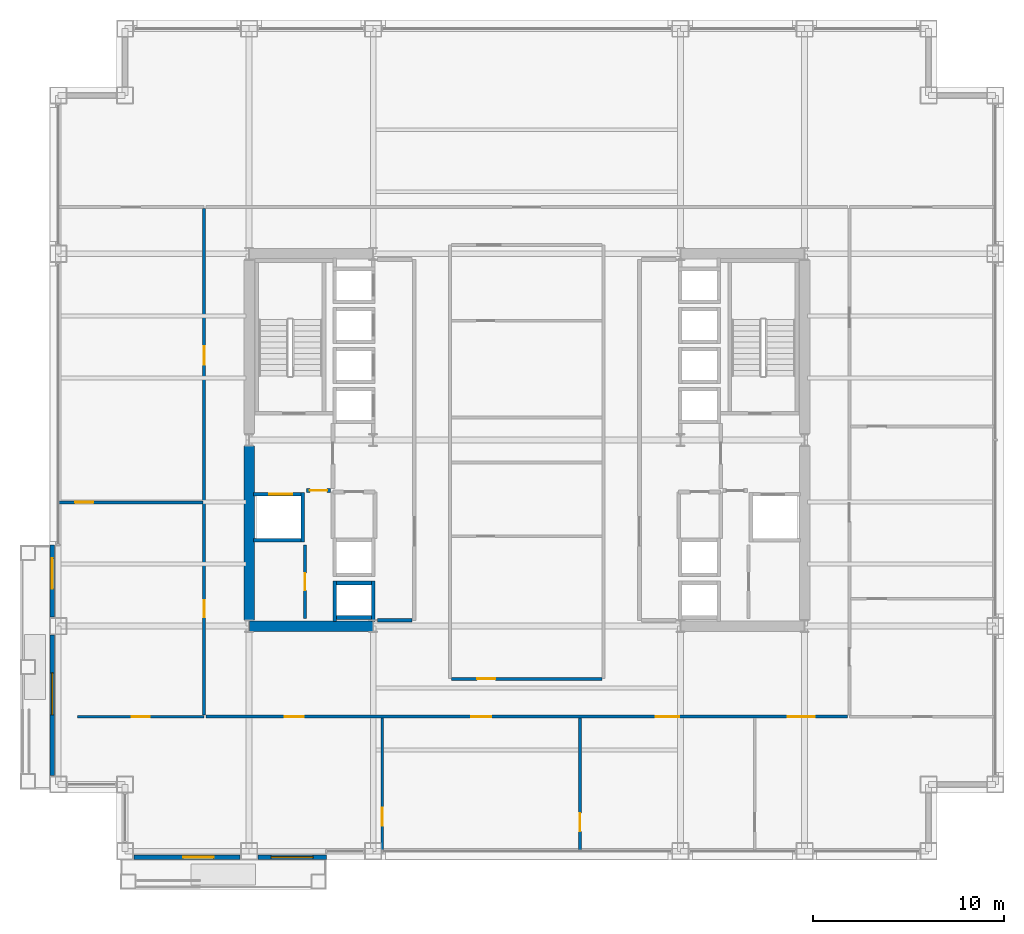
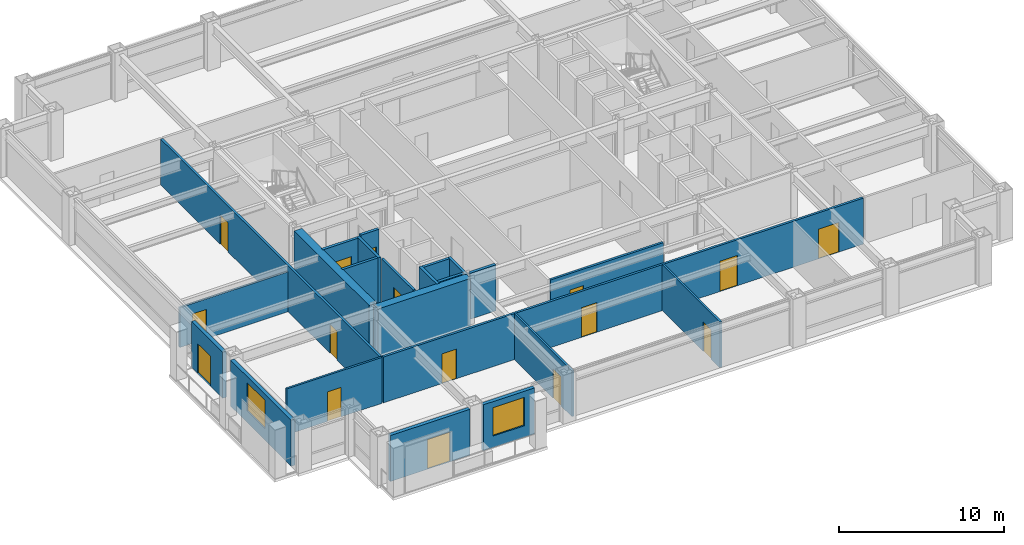
# One storey, part 24 of 29: 23 walls, 16 doors, 2 windows, 18 openings.
"""IFC4 building model written with IfcOpenShell, lengths in metres."""

from ifc_helpers import new_model, si_unit, direction, frame, frame_2d, origin, place, context, subcontext, project, spatial, rectangle, extrude, material, layer, layer_set, type_object, element, fill, save


model = new_model("IFC4")

# Units and contexts
model_context = context("Model", 3, precision=1e-05, world=origin(), true_north=direction((0.0, 1.0)))
body_context = subcontext(model_context, "Body", "Model", "MODEL_VIEW")
ifc_project = project(units=[si_unit("LENGTHUNIT", "METRE"), si_unit("AREAUNIT", "SQUARE_METRE"), si_unit("VOLUMEUNIT", "CUBIC_METRE"), si_unit("PLANEANGLEUNIT", "RADIAN"), si_unit("MASSUNIT", "GRAM", prefix="KILO")], contexts=[model_context])

# Site, building, storey
site_placement = place(None, origin())
site = spatial("IfcSite", under=ifc_project, at=site_placement, CompositionType="ELEMENT")
building_placement = place(site_placement, origin())
building = spatial("IfcBuilding", under=site, at=building_placement, Name="Brelmoor Portico Tower", CompositionType="ELEMENT")
storey_placement = place(building_placement, frame((0.0, 0.0, 60.0)))
storey = spatial("IfcBuildingStorey", under=building, at=storey_placement, Name="L15", CompositionType="ELEMENT", Elevation=60.0)

# Walls
ifc_material_1 = material(Name="Concrete C60", Category="concrete")
ifc_layer_1 = layer(ifc_material_1, 0.550048828125)
ifc_layer_set_1 = layer_set([ifc_layer_1], Name="Concrete C60")
wall_type_1 = type_object("IfcWallType", Name="WL-CORE-550", PredefinedType="SHEAR", material=ifc_layer_set_1)
wall_1_placement = place(storey_placement, frame((-14.530029296875, -9.75, -0.199951171875), z_axis=(0.0, 0.0, 1.0), x_axis=(1.0, 0.0, 0.0)))
element("IfcWall", 1, at=wall_1_placement, inside=storey, type_object=wall_type_1, Name="L15 WC South Shear Wall", PredefinedType="SHEAR", context=body_context, shape_type="SweptSolid", body=[
    extrude(rectangle(XDim=6.4599609375, YDim=0.550048828125, at=frame_2d((3.22998046875, 0.0))), origin(), (0.0, 0.0, 1.0), 3.599853515625),
])
wall_2_placement = place(storey_placement, frame((-14.550048828125, -9.425048828125, -0.199951171875), z_axis=(0.0, 0.0, 1.0), x_axis=(0.0, 1.0, 0.0)))
element("IfcWall", 2, at=wall_2_placement, inside=storey, type_object=wall_type_1, Name="L15 WC Outer South Shear Wall", PredefinedType="SHEAR", context=body_context, shape_type="SweptSolid", body=[
    extrude(rectangle(XDim=9.10009765625, YDim=0.550048828125, at=frame_2d((4.550048828125, 0.0))), origin(), (0.0, 0.0, 1.0), 3.599853515625),
])

# Wall, opening, door
ifc_material_2 = material(Name="Precast Concrete C40 Insulated Facade Wall", Category="concrete")
ifc_layer_2 = layer(ifc_material_2, 0.25)
ifc_layer_set_2 = layer_set([ifc_layer_2], Name="Precast Concrete C40 Insulated Facade Wall")
wall_type_2 = type_object("IfcWallType", Name="WL-EXT-250", PredefinedType="STANDARD", material=ifc_layer_set_2)
wall_3_placement = place(storey_placement, frame((-20.580078125, -21.860107421875, 0.0), z_axis=(0.0, 0.0, 1.0), x_axis=(1.0, 0.0, 0.0)))
wall_3 = element("IfcWall", 3, at=wall_3_placement, inside=storey, type_object=wall_type_2, Name="L15 Loggia Threshold Wall S-1", PredefinedType="STANDARD", context=body_context, shape_type="SweptSolid", body=[
    extrude(rectangle(XDim=5.56005859375, YDim=0.25, at=frame_2d((2.780029296875, 0.0))), origin(), (0.0, 0.0, 1.0), 3.39990234375),
])
opening_1_placement = place(wall_3_placement, frame((2.580078125, 0.0, 0.0)))
opening_1 = element("IfcOpeningElement", 4, at=opening_1_placement, cuts=wall_3, Name="Opening D-TB1", PredefinedType="OPENING", context=body_context, shape_type="SweptSolid", body=[
    extrude(rectangle(XDim=1.60009765625, YDim=2.199951171875, at=frame_2d((0.800048828125, 1.10009765625))), frame((0.0, 0.135009765625, 0.0), z_axis=(0.0, -1.0, 0.0), x_axis=(1.0, 0.0, 0.0)), (0.0, 0.0, 1.0), 0.27001953125),
])
ifc_material_3 = material(Name="Double-Leaf Thermally Broken Terrace Door", Category="aluminium")
door_type_1 = type_object("IfcDoorType", Name="DR-BALCONY-1600", OperationType="NOTDEFINED", PredefinedType="DOOR", material=ifc_material_3)
door_1_placement = place(opening_1_placement, origin())
door_1 = element("IfcDoor", 5, at=door_1_placement, inside=storey, type_object=door_type_1, Name="D-0691 L15 Tree Balcony Double Door S", OperationType="DOUBLE_DOOR_SINGLE_SWING", OverallHeight=2.199951171875, OverallWidth=1.60009765625, PredefinedType="DOOR", context=body_context, shape_type="SweptSolid", body=[
    extrude(rectangle(XDim=1.60009765625, YDim=2.199951171875, at=frame_2d((0.800048828125, 1.10009765625))), frame((0.0, 0.02490234375, 0.0), z_axis=(0.0, -1.0, 0.0), x_axis=(1.0, 0.0, 0.0)), (0.0, 0.0, 1.0), 0.050048828125),
])
fill(opening_1, door_1)

# Wall, opening, window
wall_4_placement = place(storey_placement, frame((-14.080078125, -21.860107421875, 0.0), z_axis=(0.0, 0.0, 1.0), x_axis=(1.0, 0.0, 0.0)))
wall_4 = element("IfcWall", 6, at=wall_4_placement, inside=storey, type_object=wall_type_2, Name="L15 Loggia Threshold Wall S-2", PredefinedType="STANDARD", context=body_context, shape_type="SweptSolid", body=[
    extrude(rectangle(XDim=3.580078125, YDim=0.25, at=frame_2d((1.7900390625, 0.0))), origin(), (0.0, 0.0, 1.0), 3.39990234375),
])
opening_2_placement = place(wall_4_placement, frame((0.679931640625, 0.0, 0.85009765625)))
opening_2 = element("IfcOpeningElement", 7, at=opening_2_placement, cuts=wall_4, Name="Opening W-03B", PredefinedType="OPENING", context=body_context, shape_type="SweptSolid", body=[
    extrude(rectangle(XDim=2.199951171875, YDim=2.10009765625, at=frame_2d((1.10009765625, 1.050048828125))), frame((0.0, 0.135009765625, 0.0), z_axis=(0.0, -1.0, 0.0), x_axis=(1.0, 0.0, 0.0)), (0.0, 0.0, 1.0), 0.27001953125),
])
ifc_material_4 = material(Name="Thermally Broken Aluminium Low-E Window", Category="aluminium")
window_type = type_object("IfcWindowType", Name="WN-LOGGIA-2200x2100", PartitioningType="SINGLE_PANEL", PredefinedType="WINDOW", material=ifc_material_4)
window_1_placement = place(opening_2_placement, origin())
window_1 = element("IfcWindow", 8, at=window_1_placement, inside=storey, type_object=window_type, Name="L15 Loggia Window S", OverallHeight=2.10009765625, OverallWidth=2.199951171875, PartitioningType="SINGLE_PANEL", PredefinedType="WINDOW", context=body_context, shape_type="SweptSolid", body=[
    extrude(rectangle(XDim=2.199951171875, YDim=2.10009765625, at=frame_2d((1.10009765625, 1.050048828125))), frame((0.0, 0.030029296875, 0.0), z_axis=(0.0, -1.0, 0.0), x_axis=(1.0, 0.0, 0.0)), (0.0, 0.0, 1.0), 0.06005859375),
])
fill(opening_2, window_1)

wall_5_placement = place(storey_placement, frame((-24.860107421875, -17.580078125, 0.0), z_axis=(0.0, 0.0, 1.0), x_axis=(0.0, 1.0, 0.0)))
wall_5 = element("IfcWall", 9, at=wall_5_placement, inside=storey, type_object=wall_type_2, Name="L15 Loggia Threshold Wall W-1", PredefinedType="STANDARD", context=body_context, shape_type="SweptSolid", body=[
    extrude(rectangle(XDim=7.360107421875, YDim=0.25, at=frame_2d((3.68017578125, 0.0))), origin(), (0.0, 0.0, 1.0), 3.39990234375),
])
opening_3_placement = place(wall_5_placement, frame((3.179931640625, 0.0, 0.85009765625)))
opening_3 = element("IfcOpeningElement", 10, at=opening_3_placement, cuts=wall_5, Name="Opening W-03B", PredefinedType="OPENING", context=body_context, shape_type="SweptSolid", body=[
    extrude(rectangle(XDim=2.199951171875, YDim=2.10009765625, at=frame_2d((1.10009765625, 1.050048828125))), frame((0.0, 0.135009765625, 0.0), z_axis=(0.0, -1.0, 0.0), x_axis=(1.0, 0.0, 0.0)), (0.0, 0.0, 1.0), 0.27001953125),
])
window_2_placement = place(opening_3_placement, origin())
window_2 = element("IfcWindow", 11, at=window_2_placement, inside=storey, type_object=window_type, Name="L15 Loggia Window W", OverallHeight=2.10009765625, OverallWidth=2.199951171875, PartitioningType="SINGLE_PANEL", PredefinedType="WINDOW", context=body_context, shape_type="SweptSolid", body=[
    extrude(rectangle(XDim=2.199951171875, YDim=2.10009765625, at=frame_2d((1.10009765625, 1.050048828125))), frame((0.0, 0.030029296875, 0.0), z_axis=(0.0, -1.0, 0.0), x_axis=(1.0, 0.0, 0.0)), (0.0, 0.0, 1.0), 0.06005859375),
])
fill(opening_3, window_2)

# Wall, opening, door
wall_6_placement = place(storey_placement, frame((-24.860107421875, -9.280029296875, 0.0), z_axis=(0.0, 0.0, 1.0), x_axis=(0.0, 1.0, 0.0)))
wall_6 = element("IfcWall", 12, at=wall_6_placement, inside=storey, type_object=wall_type_2, Name="L15 Loggia Threshold Wall W-2", PredefinedType="STANDARD", context=body_context, shape_type="SweptSolid", body=[
    extrude(rectangle(XDim=3.780029296875, YDim=0.25, at=frame_2d((1.89013671875, 0.0))), origin(), (0.0, 0.0, 1.0), 3.39990234375),
])
opening_4_placement = place(wall_6_placement, frame((1.47998046875, 0.0, 0.0)))
opening_4 = element("IfcOpeningElement", 13, at=opening_4_placement, cuts=wall_6, Name="Opening D-TB1", PredefinedType="OPENING", context=body_context, shape_type="SweptSolid", body=[
    extrude(rectangle(XDim=1.60009765625, YDim=2.199951171875, at=frame_2d((0.800048828125, 1.10009765625))), frame((0.0, 0.135009765625, 0.0), z_axis=(0.0, -1.0, 0.0), x_axis=(1.0, 0.0, 0.0)), (0.0, 0.0, 1.0), 0.27001953125),
])
door_2_placement = place(opening_4_placement, origin())
door_2 = element("IfcDoor", 14, at=door_2_placement, inside=storey, type_object=door_type_1, Name="D-0692 L15 Tree Balcony Double Door W", OperationType="DOUBLE_DOOR_SINGLE_SWING", OverallHeight=2.199951171875, OverallWidth=1.60009765625, PredefinedType="DOOR", context=body_context, shape_type="SweptSolid", body=[
    extrude(rectangle(XDim=1.60009765625, YDim=2.199951171875, at=frame_2d((0.800048828125, 1.10009765625))), frame((0.0, 0.02490234375, 0.0), z_axis=(0.0, -1.0, 0.0), x_axis=(1.0, 0.0, 0.0)), (0.0, 0.0, 1.0), 0.050048828125),
])
fill(opening_4, door_2)

ifc_material_5 = material(Name="Insulated Stud Suite Partition", Category="gypsum")
ifc_layer_3 = layer(ifc_material_5, 0.139892578125)
ifc_layer_set_3 = layer_set([ifc_layer_3], Name="Insulated Stud Suite Partition")
wall_type_3 = type_object("IfcWallType", Name="WL-PART-140", PredefinedType="PARTITIONING", material=ifc_layer_set_3)
wall_7_placement = place(storey_placement, frame((-7.56591796875, -21.56005859375, 0.0), z_axis=(0.0, 0.0, 1.0), x_axis=(0.0, 1.0, 0.0)))
wall_7 = element("IfcWall", 15, at=wall_7_placement, inside=storey, type_object=wall_type_3, Name="L15 South Suite Partition 1", PredefinedType="PARTITIONING", context=body_context, shape_type="SweptSolid", body=[
    extrude(rectangle(XDim=7.0, YDim=0.139892578125, at=frame_2d((3.5, 0.0))), origin(), (0.0, 0.0, 1.0), 3.39990234375),
])
opening_5_placement = place(wall_7_placement, frame((1.340087890625, 0.0, 0.0)))
opening_5 = element("IfcOpeningElement", 16, at=opening_5_placement, cuts=wall_7, Name="Opening D-IN2", PredefinedType="OPENING", context=body_context, shape_type="SweptSolid", body=[
    extrude(rectangle(XDim=0.9599609375, YDim=2.179931640625, at=frame_2d((0.47998046875, 1.08984375))), frame((0.0, 0.079833984375, 0.0), z_axis=(0.0, -1.0, 0.0), x_axis=(1.0, 0.0, 0.0)), (0.0, 0.0, 1.0), 0.159912109375),
])
ifc_material_6 = material(Name="Lacquered Timber Suite Door", Category="wood")
door_type_2 = type_object("IfcDoorType", Name="DR-INT-950", OperationType="NOTDEFINED", PredefinedType="DOOR", material=ifc_material_6)
door_3_placement = place(opening_5_placement, origin())
door_3 = element("IfcDoor", 17, at=door_3_placement, inside=storey, type_object=door_type_2, Name="D-0684 L15 South Suite Connecting Door 1", OperationType="SINGLE_SWING_LEFT", OverallHeight=2.179931640625, OverallWidth=0.9599609375, PredefinedType="DOOR", context=body_context, shape_type="SweptSolid", body=[
    extrude(rectangle(XDim=0.9599609375, YDim=2.179931640625, at=frame_2d((0.47998046875, 1.08984375))), frame((0.0, 0.02490234375, 0.0), z_axis=(0.0, -1.0, 0.0), x_axis=(1.0, 0.0, 0.0)), (0.0, 0.0, 1.0), 0.050048828125),
])
fill(opening_5, door_3)

wall_8_placement = place(storey_placement, frame((2.787353515625, -21.56005859375, 0.0), z_axis=(0.0, 0.0, 1.0), x_axis=(0.0, 1.0, 0.0)))
wall_8 = element("IfcWall", 18, at=wall_8_placement, inside=storey, type_object=wall_type_3, Name="L15 South Suite Partition 2", PredefinedType="PARTITIONING", context=body_context, shape_type="SweptSolid", body=[
    extrude(rectangle(XDim=7.0, YDim=0.139892578125, at=frame_2d((3.5, 0.0))), origin(), (0.0, 0.0, 1.0), 3.39990234375),
])
opening_6_placement = place(wall_8_placement, frame((1.050048828125, 0.0, 0.0)))
opening_6 = element("IfcOpeningElement", 19, at=opening_6_placement, cuts=wall_8, Name="Opening D-IN2", PredefinedType="OPENING", context=body_context, shape_type="SweptSolid", body=[
    extrude(rectangle(XDim=0.9599609375, YDim=2.179931640625, at=frame_2d((0.47998046875, 1.08984375))), frame((0.0, 0.079833984375, 0.0), z_axis=(0.0, -1.0, 0.0), x_axis=(1.0, 0.0, 0.0)), (0.0, 0.0, 1.0), 0.159912109375),
])
door_4_placement = place(opening_6_placement, origin())
door_4 = element("IfcDoor", 20, at=door_4_placement, inside=storey, type_object=door_type_2, Name="D-0685 L15 South Suite Connecting Door 2", OperationType="SINGLE_SWING_RIGHT", OverallHeight=2.179931640625, OverallWidth=0.9599609375, PredefinedType="DOOR", context=body_context, shape_type="SweptSolid", body=[
    extrude(rectangle(XDim=0.9599609375, YDim=2.179931640625, at=frame_2d((0.47998046875, 1.08984375))), frame((0.0, 0.02490234375, 0.0), z_axis=(0.0, -1.0, 0.0), x_axis=(1.0, 0.0, 0.0)), (0.0, 0.0, 1.0), 0.050048828125),
])
fill(opening_6, door_4)

wall_9_placement = place(storey_placement, frame((-23.550048828125, -14.5, 0.0), z_axis=(0.0, 0.0, 1.0), x_axis=(1.0, 0.0, 0.0)))
wall_9 = element("IfcWall", 21, at=wall_9_placement, inside=storey, type_object=wall_type_3, Name="L15 South Outer Closure WL", PredefinedType="PARTITIONING", context=body_context, shape_type="SweptSolid", body=[
    extrude(rectangle(XDim=6.650146484375, YDim=0.139892578125, at=frame_2d((3.3251953125, 0.0))), origin(), (0.0, 0.0, 1.0), 3.39990234375),
])
opening_7_placement = place(wall_9_placement, frame((2.844970703125, 0.0, 0.0)))
opening_7 = element("IfcOpeningElement", 22, at=opening_7_placement, cuts=wall_9, Name="Opening D-IN2", PredefinedType="OPENING", context=body_context, shape_type="SweptSolid", body=[
    extrude(rectangle(XDim=0.9599609375, YDim=2.179931640625, at=frame_2d((0.47998046875, 1.08984375))), frame((0.0, 0.079833984375, 0.0), z_axis=(0.0, -1.0, 0.0), x_axis=(1.0, 0.0, 0.0)), (0.0, 0.0, 1.0), 0.159912109375),
])
door_5_placement = place(opening_7_placement, origin())
door_5 = element("IfcDoor", 23, at=door_5_placement, inside=storey, type_object=door_type_2, Name="D-0690 L15 WL South Corner Suite Door", OperationType="SINGLE_SWING_LEFT", OverallHeight=2.179931640625, OverallWidth=0.9599609375, PredefinedType="DOOR", context=body_context, shape_type="SweptSolid", body=[
    extrude(rectangle(XDim=0.9599609375, YDim=2.179931640625, at=frame_2d((0.47998046875, 1.08984375))), frame((0.0, 0.02490234375, 0.0), z_axis=(0.0, -1.0, 0.0), x_axis=(1.0, 0.0, 0.0)), (0.0, 0.0, 1.0), 0.050048828125),
])
fill(opening_7, door_5)

wall_10_placement = place(storey_placement, frame((-24.56005859375, -3.273193359375, 0.0), z_axis=(0.0, 0.0, 1.0), x_axis=(1.0, 0.0, 0.0)))
wall_10 = element("IfcWall", 24, at=wall_10_placement, inside=storey, type_object=wall_type_3, Name="L15 W Wing Partition 1", PredefinedType="PARTITIONING", context=body_context, shape_type="SweptSolid", body=[
    extrude(rectangle(XDim=7.60009765625, YDim=0.139892578125, at=frame_2d((3.800048828125, 0.0))), origin(), (0.0, 0.0, 1.0), 2.949951171875),
])
opening_8_placement = place(wall_10_placement, frame((0.89990234375, 0.0, 0.0)))
opening_8 = element("IfcOpeningElement", 25, at=opening_8_placement, cuts=wall_10, Name="Opening D-IN2", PredefinedType="OPENING", context=body_context, shape_type="SweptSolid", body=[
    extrude(rectangle(XDim=0.9599609375, YDim=2.179931640625, at=frame_2d((0.47998046875, 1.08984375))), frame((0.0, 0.079833984375, 0.0), z_axis=(0.0, -1.0, 0.0), x_axis=(1.0, 0.0, 0.0)), (0.0, 0.0, 1.0), 0.159912109375),
])
door_6_placement = place(opening_8_placement, origin())
door_6 = element("IfcDoor", 26, at=door_6_placement, inside=storey, type_object=door_type_2, Name="D-0700 L15 W Wing Suite Connecting Door 1", OperationType="SINGLE_SWING_LEFT", OverallHeight=2.179931640625, OverallWidth=0.9599609375, PredefinedType="DOOR", context=body_context, shape_type="SweptSolid", body=[
    extrude(rectangle(XDim=0.9599609375, YDim=2.179931640625, at=frame_2d((0.47998046875, 1.08984375))), frame((0.0, 0.02490234375, 0.0), z_axis=(0.0, -1.0, 0.0), x_axis=(1.0, 0.0, 0.0)), (0.0, 0.0, 1.0), 0.050048828125),
])
fill(opening_8, door_6)

ifc_material_7 = material(Name="Twin-Frame Acoustic Partition", Category="gypsum")
ifc_layer_4 = layer(ifc_material_7, 0.159912109375)
ifc_layer_set_4 = layer_set([ifc_layer_4], Name="Twin-Frame Acoustic Partition")
wall_type_4 = type_object("IfcWallType", Name="WL-PART-160", PredefinedType="PARTITIONING", material=ifc_layer_set_4)
wall_11_placement = place(storey_placement, frame((-11.6201171875, -9.35009765625, 0.0), z_axis=(0.0, 0.0, 1.0), x_axis=(0.0, 1.0, 0.0)))
wall_11 = element("IfcWall", 27, at=wall_11_placement, inside=storey, type_object=wall_type_4, Name="L15 W Core Service Front Wall", PredefinedType="PARTITIONING", context=body_context, shape_type="SweptSolid", body=[
    extrude(rectangle(XDim=3.85009765625, YDim=0.159912109375, at=frame_2d((1.925048828125, 0.0))), origin(), (0.0, 0.0, 1.0), 3.39990234375),
])
opening_9_placement = place(wall_11_placement, frame((1.47509765625, 0.0, 0.0)))
opening_9 = element("IfcOpeningElement", 28, at=opening_9_placement, cuts=wall_11, Name="Opening D-IN1", PredefinedType="OPENING", context=body_context, shape_type="SweptSolid", body=[
    extrude(rectangle(XDim=0.89990234375, YDim=2.14990234375, at=frame_2d((0.449951171875, 1.074951171875))), frame((0.0, 0.08984375, 0.0), z_axis=(0.0, -1.0, 0.0), x_axis=(1.0, 0.0, 0.0)), (0.0, 0.0, 1.0), 0.179931640625),
])
door_type_3 = type_object("IfcDoorType", Name="DR-INT-900", OperationType="NOTDEFINED", PredefinedType="DOOR", material=ifc_material_6)
door_7_placement = place(opening_9_placement, origin())
door_7 = element("IfcDoor", 29, at=door_7_placement, inside=storey, type_object=door_type_3, Name="D-0670 L15 W Accessible WC Door", OperationType="SINGLE_SWING_RIGHT", OverallHeight=2.14990234375, OverallWidth=0.89990234375, PredefinedType="DOOR", context=body_context, shape_type="SweptSolid", body=[
    extrude(rectangle(XDim=0.89990234375, YDim=2.14990234375, at=frame_2d((0.449951171875, 1.074951171875))), frame((0.0, 0.02490234375, 0.0), z_axis=(0.0, -1.0, 0.0), x_axis=(1.0, 0.0, 0.0)), (0.0, 0.0, 1.0), 0.050048828125),
])
fill(opening_9, door_7)

wall_12_placement = place(storey_placement, frame((-3.949951171875, -12.52001953125, 0.0), z_axis=(0.0, 0.0, 1.0), x_axis=(1.0, 0.0, 0.0)))
wall_12 = element("IfcWall", 30, at=wall_12_placement, inside=storey, type_object=wall_type_4, Name="L15 Central Pantry Corridor Wall", PredefinedType="PARTITIONING", context=body_context, shape_type="SweptSolid", body=[
    extrude(rectangle(XDim=7.89990234375, YDim=0.159912109375, at=frame_2d((3.949951171875, 0.0))), origin(), (0.0, 0.0, 1.0), 3.39990234375),
])
opening_10_placement = place(wall_12_placement, frame((1.35009765625, 0.0, 0.0)))
opening_10 = element("IfcOpeningElement", 31, at=opening_10_placement, cuts=wall_12, Name="Opening D-IN2", PredefinedType="OPENING", context=body_context, shape_type="SweptSolid", body=[
    extrude(rectangle(XDim=0.9599609375, YDim=2.179931640625, at=frame_2d((0.47998046875, 1.08984375))), frame((0.0, 0.08984375, 0.0), z_axis=(0.0, -1.0, 0.0), x_axis=(1.0, 0.0, 0.0)), (0.0, 0.0, 1.0), 0.179931640625),
])
door_8_placement = place(opening_10_placement, origin())
door_8 = element("IfcDoor", 32, at=door_8_placement, inside=storey, type_object=door_type_2, Name="D-0665 L15 Staff Pantry Door", OperationType="SINGLE_SWING_RIGHT", OverallHeight=2.179931640625, OverallWidth=0.9599609375, PredefinedType="DOOR", context=body_context, shape_type="SweptSolid", body=[
    extrude(rectangle(XDim=0.9599609375, YDim=2.179931640625, at=frame_2d((0.47998046875, 1.08984375))), frame((0.0, 0.02490234375, 0.0), z_axis=(0.0, -1.0, 0.0), x_axis=(1.0, 0.0, 0.0)), (0.0, 0.0, 1.0), 0.050048828125),
])
fill(opening_10, door_8)

# Wall, openings, doors
wall_13_placement = place(storey_placement, frame((-16.800048828125, -14.5, 0.0), z_axis=(0.0, 0.0, 1.0), x_axis=(1.0, 0.0, 0.0)))
wall_13 = element("IfcWall", 33, at=wall_13_placement, inside=storey, type_object=wall_type_4, Name="L15 South Corridor Partition", PredefinedType="PARTITIONING", context=body_context, shape_type="SweptSolid", body=[
    extrude(rectangle(XDim=33.60009765625, YDim=0.159912109375, at=frame_2d((16.800048828125, 0.0))), origin(), (0.0, 0.0, 1.0), 3.39990234375),
])
opening_11_placement = place(wall_13_placement, frame((4.107177734375, 0.0, 0.0)))
opening_11 = element("IfcOpeningElement", 34, at=opening_11_placement, cuts=wall_13, Name="Opening D-OF1", PredefinedType="OPENING", context=body_context, shape_type="SweptSolid", body=[
    extrude(rectangle(XDim=1.02001953125, YDim=2.199951171875, at=frame_2d((0.510009765625, 1.10009765625))), frame((0.0, 0.08984375, 0.0), z_axis=(0.0, -1.0, 0.0), x_axis=(1.0, 0.0, 0.0)), (0.0, 0.0, 1.0), 0.179931640625),
])
opening_12_placement = place(wall_13_placement, frame((13.880859375, 0.0, 0.0)))
opening_12 = element("IfcOpeningElement", 35, at=opening_12_placement, cuts=wall_13, Name="Opening D-OF2", PredefinedType="OPENING", context=body_context, shape_type="SweptSolid", body=[
    extrude(rectangle(XDim=1.06005859375, YDim=2.199951171875, at=frame_2d((0.530029296875, 1.10009765625))), frame((0.0, 0.08984375, 0.0), z_axis=(0.0, -1.0, 0.0), x_axis=(1.0, 0.0, 0.0)), (0.0, 0.0, 1.0), 0.179931640625),
])
opening_13_placement = place(wall_13_placement, frame((23.546630859375, 0.0, 0.0)))
opening_13 = element("IfcOpeningElement", 36, at=opening_13_placement, cuts=wall_13, Name="Opening D-SU1", PredefinedType="OPENING", context=body_context, shape_type="SweptSolid", body=[
    extrude(rectangle(XDim=1.239990234375, YDim=2.239990234375, at=frame_2d((0.6201171875, 1.1201171875))), frame((0.0, 0.08984375, 0.0), z_axis=(0.0, -1.0, 0.0), x_axis=(1.0, 0.0, 0.0)), (0.0, 0.0, 1.0), 0.179931640625),
])
opening_14_placement = place(wall_13_placement, frame((30.472900390625, 0.0, 0.0)))
opening_14 = element("IfcOpeningElement", 37, at=opening_14_placement, cuts=wall_13, Name="Opening D-SU2", PredefinedType="OPENING", context=body_context, shape_type="SweptSolid", body=[
    extrude(rectangle(XDim=1.39990234375, YDim=2.199951171875, at=frame_2d((0.699951171875, 1.10009765625))), frame((0.0, 0.08984375, 0.0), z_axis=(0.0, -1.0, 0.0), x_axis=(1.0, 0.0, 0.0)), (0.0, 0.0, 1.0), 0.179931640625),
])
ifc_material_8 = material(Name="Hardwood Acoustic Veneer Door", Category="wood")
door_type_4 = type_object("IfcDoorType", Name="DR-OFFICE-1000", OperationType="NOTDEFINED", PredefinedType="DOOR", material=ifc_material_8)
door_9_placement = place(opening_11_placement, origin())
door_9 = element("IfcDoor", 38, at=door_9_placement, inside=storey, type_object=door_type_4, Name="D-0680 L15 South Design Workshop 1 Door", OperationType="SINGLE_SWING_RIGHT", OverallHeight=2.199951171875, OverallWidth=1.02001953125, PredefinedType="DOOR", context=body_context, shape_type="SweptSolid", body=[
    extrude(rectangle(XDim=1.02001953125, YDim=2.199951171875, at=frame_2d((0.510009765625, 1.10009765625))), frame((0.0, 0.02490234375, 0.0), z_axis=(0.0, -1.0, 0.0), x_axis=(1.0, 0.0, 0.0)), (0.0, 0.0, 1.0), 0.050048828125),
])
fill(opening_11, door_9)
door_type_5 = type_object("IfcDoorType", Name="DR-OFFICE-1050", OperationType="NOTDEFINED", PredefinedType="DOOR", material=ifc_material_8)
door_10_placement = place(opening_12_placement, origin())
door_10 = element("IfcDoor", 39, at=door_10_placement, inside=storey, type_object=door_type_5, Name="D-0681 L15 South First-Aid Consultation Room 2 Door", OperationType="SINGLE_SWING_LEFT", OverallHeight=2.199951171875, OverallWidth=1.06005859375, PredefinedType="DOOR", context=body_context, shape_type="SweptSolid", body=[
    extrude(rectangle(XDim=1.06005859375, YDim=2.199951171875, at=frame_2d((0.530029296875, 1.10009765625))), frame((0.0, 0.02490234375, 0.0), z_axis=(0.0, -1.0, 0.0), x_axis=(1.0, 0.0, 0.0)), (0.0, 0.0, 1.0), 0.050048828125),
])
fill(opening_12, door_10)
ifc_material_9 = material(Name="Glazed Timber Executive Suite Door", Category="wood")
door_type_6 = type_object("IfcDoorType", Name="DR-SUITE-1200", OperationType="NOTDEFINED", PredefinedType="DOOR", material=ifc_material_9)
door_11_placement = place(opening_13_placement, origin())
door_11 = element("IfcDoor", 40, at=door_11_placement, inside=storey, type_object=door_type_6, Name="D-0682 L15 South Technical Archive Store 3 Door", OperationType="SINGLE_SWING_RIGHT", OverallHeight=2.239990234375, OverallWidth=1.239990234375, PredefinedType="DOOR", context=body_context, shape_type="SweptSolid", body=[
    extrude(rectangle(XDim=1.239990234375, YDim=2.239990234375, at=frame_2d((0.6201171875, 1.1201171875))), frame((0.0, 0.02490234375, 0.0), z_axis=(0.0, -1.0, 0.0), x_axis=(1.0, 0.0, 0.0)), (0.0, 0.0, 1.0), 0.050048828125),
])
fill(opening_13, door_11)
ifc_material_10 = material(Name="Double-Leaf Acoustic Suite Door", Category="timber")
door_type_7 = type_object("IfcDoorType", Name="DR-SUITE-1400", OperationType="NOTDEFINED", PredefinedType="DOOR", material=ifc_material_10)
door_12_placement = place(opening_14_placement, origin())
door_12 = element("IfcDoor", 41, at=door_12_placement, inside=storey, type_object=door_type_7, Name="D-0683 L15 South Open-Plan Office 4 Door", OperationType="DOUBLE_DOOR_SINGLE_SWING", OverallHeight=2.199951171875, OverallWidth=1.39990234375, PredefinedType="DOOR", context=body_context, shape_type="SweptSolid", body=[
    extrude(rectangle(XDim=1.39990234375, YDim=2.199951171875, at=frame_2d((0.699951171875, 1.10009765625))), frame((0.0, 0.02490234375, 0.0), z_axis=(0.0, -1.0, 0.0), x_axis=(1.0, 0.0, 0.0)), (0.0, 0.0, 1.0), 0.050048828125),
])
fill(opening_14, door_12)

wall_14_placement = place(storey_placement, frame((-16.89990234375, -14.419921875, 0.0), z_axis=(0.0, 0.0, 1.0), x_axis=(0.0, 1.0, 0.0)))
wall_14 = element("IfcWall", 42, at=wall_14_placement, inside=storey, type_object=wall_type_4, Name="L15 W Wing Corridor Wall", PredefinedType="PARTITIONING", context=body_context, shape_type="SweptSolid", body=[
    extrude(rectangle(XDim=26.5400390625, YDim=0.159912109375, at=frame_2d((13.27001953125, 0.0))), origin(), (0.0, 0.0, 1.0), 3.39990234375),
])
opening_15_placement = place(wall_14_placement, frame((5.123291015625, 0.0, 0.0)))
opening_15 = element("IfcOpeningElement", 43, at=opening_15_placement, cuts=wall_14, Name="Opening D-IN1", PredefinedType="OPENING", context=body_context, shape_type="SweptSolid", body=[
    extrude(rectangle(XDim=0.89990234375, YDim=2.14990234375, at=frame_2d((0.449951171875, 1.074951171875))), frame((0.0, 0.08984375, 0.0), z_axis=(0.0, -1.0, 0.0), x_axis=(1.0, 0.0, 0.0)), (0.0, 0.0, 1.0), 0.179931640625),
])
opening_16_placement = place(wall_14_placement, frame((18.36328125, 0.0, 0.0)))
opening_16 = element("IfcOpeningElement", 44, at=opening_16_placement, cuts=wall_14, Name="Opening D-IN2", PredefinedType="OPENING", context=body_context, shape_type="SweptSolid", body=[
    extrude(rectangle(XDim=0.9599609375, YDim=2.179931640625, at=frame_2d((0.47998046875, 1.08984375))), frame((0.0, 0.08984375, 0.0), z_axis=(0.0, -1.0, 0.0), x_axis=(1.0, 0.0, 0.0)), (0.0, 0.0, 1.0), 0.179931640625),
])
door_13_placement = place(opening_15_placement, origin())
door_13 = element("IfcDoor", 45, at=door_13_placement, inside=storey, type_object=door_type_3, Name="D-0698 L15 W Project Reception Concierge 1 Door", OperationType="SINGLE_SWING_RIGHT", OverallHeight=2.14990234375, OverallWidth=0.89990234375, PredefinedType="DOOR", context=body_context, shape_type="SweptSolid", body=[
    extrude(rectangle(XDim=0.89990234375, YDim=2.14990234375, at=frame_2d((0.449951171875, 1.074951171875))), frame((0.0, 0.02490234375, 0.0), z_axis=(0.0, -1.0, 0.0), x_axis=(1.0, 0.0, 0.0)), (0.0, 0.0, 1.0), 0.050048828125),
])
fill(opening_15, door_13)
door_14_placement = place(opening_16_placement, origin())
door_14 = element("IfcDoor", 46, at=door_14_placement, inside=storey, type_object=door_type_2, Name="D-0699 L15 W Design Workshop 2 Door", OperationType="SINGLE_SWING_LEFT", OverallHeight=2.179931640625, OverallWidth=0.9599609375, PredefinedType="DOOR", context=body_context, shape_type="SweptSolid", body=[
    extrude(rectangle(XDim=0.9599609375, YDim=2.179931640625, at=frame_2d((0.47998046875, 1.08984375))), frame((0.0, 0.02490234375, 0.0), z_axis=(0.0, -1.0, 0.0), x_axis=(1.0, 0.0, 0.0)), (0.0, 0.0, 1.0), 0.050048828125),
])
fill(opening_16, door_14)

# Wall
ifc_material_11 = material(Name="Double-Stud Gypsum Fire Partition", Category="gypsum")
ifc_layer_5 = layer(ifc_material_11, 0.199951171875)
ifc_layer_set_5 = layer_set([ifc_layer_5], Name="Double-Stud Gypsum Fire Partition")
wall_type_5 = type_object("IfcWallType", Name="WL-PART-200", PredefinedType="PARTITIONING", material=ifc_layer_set_5)
wall_15_placement = place(storey_placement, frame((-6.02001953125, -9.449951171875, 0.0), z_axis=(0.0, 0.0, 1.0), x_axis=(-1.0, 0.0, 0.0)))
element("IfcWall", 47, at=wall_15_placement, inside=storey, type_object=wall_type_5, Name="L15 W Lift Lobby South End Wall", PredefinedType="PARTITIONING", context=body_context, shape_type="SweptSolid", body=[
    extrude(rectangle(XDim=1.800048828125, YDim=0.199951171875, at=frame_2d((0.89990234375, 0.0))), origin(), (0.0, 0.0, 1.0), 3.39990234375),
])

# Wall, opening, door
wall_16_placement = place(storey_placement, frame((-10.280029296875, -2.64990234375, 0.0), z_axis=(0.0, 0.0, 1.0), x_axis=(-1.0, 0.0, 0.0)))
wall_16 = element("IfcWall", 48, at=wall_16_placement, inside=storey, type_object=wall_type_5, Name="L15 W Firefighting Lobby South Wall", PredefinedType="PARTITIONING", context=body_context, shape_type="SweptSolid", body=[
    extrude(rectangle(XDim=1.27001953125, YDim=0.199951171875, at=frame_2d((0.635009765625, 0.0))), origin(), (0.0, 0.0, 1.0), 3.39990234375),
])
opening_17_placement = place(wall_16_placement, frame((0.18505859375, 0.0, 0.0)))
opening_17 = element("IfcOpeningElement", 49, at=opening_17_placement, cuts=wall_16, Name="Opening D-IN1", PredefinedType="OPENING", context=body_context, shape_type="SweptSolid", body=[
    extrude(rectangle(XDim=0.89990234375, YDim=2.14990234375, at=frame_2d((0.449951171875, 1.074951171875))), frame((0.0, 0.10986328125, 0.0), z_axis=(0.0, -1.0, 0.0), x_axis=(1.0, 0.0, 0.0)), (0.0, 0.0, 1.0), 0.219970703125),
])
door_15_placement = place(opening_17_placement, origin())
door_15 = element("IfcDoor", 50, at=door_15_placement, inside=storey, type_object=door_type_3, Name="D-0669 L15 W Core Service Vestibule Door", OperationType="SINGLE_SWING_RIGHT", OverallHeight=2.14990234375, OverallWidth=0.89990234375, PredefinedType="DOOR", context=body_context, shape_type="SweptSolid", body=[
    extrude(rectangle(XDim=0.89990234375, YDim=2.14990234375, at=frame_2d((0.449951171875, 1.074951171875))), frame((0.0, 0.02490234375, 0.0), z_axis=(0.0, -1.0, 0.0), x_axis=(1.0, 0.0, 0.0)), (0.0, 0.0, 1.0), 0.050048828125),
])
fill(opening_17, door_15)

# Walls
ifc_material_12 = material(Name="Precast Concrete C40", Category="concrete")
ifc_layer_6 = layer(ifc_material_12, 0.18994140625)
ifc_layer_set_6 = layer_set([ifc_layer_6], Name="Precast Concrete C40")
wall_type_6 = type_object("IfcWallType", Name="WL-SHAFT-180", PredefinedType="SOLIDWALL", material=ifc_layer_set_6)
for number, where, z_axis, x_axis, name in (
    (51, (-8.044921875, -9.52001953125, -0.199951171875), (0.0, 0.0, 1.0), (0.0, 1.0, 0.0), "L15 Lift PH1 Hoistway Front Wall"),
    (52, (-10.054931640625, -9.52001953125, -0.199951171875), (0.0, 0.0, 1.0), (0.0, 1.0, 0.0), "L15 Lift PH1 Hoistway Back Wall"),
):
    element("IfcWall", number, at=place(storey_placement, frame(where, z_axis=z_axis, x_axis=x_axis)), inside=storey, type_object=wall_type_6, Name=name, PredefinedType="SOLIDWALL", context=body_context, shape_type="SweptSolid", body=[
        extrude(rectangle(XDim=2.1201171875, YDim=0.18994140625, at=frame_2d((1.06005859375, 0.0))), origin(), (0.0, 0.0, 1.0), 3.599853515625),
    ])
for number, where, z_axis, x_axis, name in (
    (53, (-10.14990234375, -7.4951171875, -0.199951171875), (0.0, 0.0, 1.0), (1.0, 0.0, 0.0), "L15 Lift PH1 Hoistway North Wall"),
    (54, (-10.14990234375, -9.304931640625, -0.199951171875), (0.0, 0.0, 1.0), (1.0, 0.0, 0.0), "L15 Lift PH1 Hoistway South Wall"),
):
    element("IfcWall", number, at=place(storey_placement, frame(where, z_axis=z_axis, x_axis=x_axis)), inside=storey, type_object=wall_type_6, Name=name, PredefinedType="SOLIDWALL", context=body_context, shape_type="SweptSolid", body=[
        extrude(rectangle(XDim=2.199951171875, YDim=0.18994140625, at=frame_2d((1.10009765625, 0.0))), origin(), (0.0, 0.0, 1.0), 3.599853515625),
    ])

# Wall, opening, door
wall_17_placement = place(storey_placement, frame((-14.330078125, -2.844970703125, -0.199951171875), z_axis=(0.0, 0.0, 1.0), x_axis=(1.0, 0.0, 0.0)))
wall_17 = element("IfcWall", 55, at=wall_17_placement, inside=storey, type_object=wall_type_6, Name="L15 Lift FF1 Hoistway Front Wall", PredefinedType="SOLIDWALL", context=body_context, shape_type="SweptSolid", body=[
    extrude(rectangle(XDim=2.68017578125, YDim=0.18994140625, at=frame_2d((1.340087890625, 0.0))), origin(), (0.0, 0.0, 1.0), 3.599853515625),
])
opening_18_placement = place(wall_17_placement, frame((0.830078125, 0.0, 0.199951171875)))
opening_18 = element("IfcOpeningElement", 56, at=opening_18_placement, cuts=wall_17, Name="Opening LD-02", PredefinedType="OPENING", context=body_context, shape_type="SweptSolid", body=[
    extrude(rectangle(XDim=1.199951171875, YDim=2.199951171875, at=frame_2d((0.60009765625, 1.10009765625))), frame((0.0, 0.10498046875, 0.0), z_axis=(0.0, -1.0, 0.0), x_axis=(1.0, 0.0, 0.0)), (0.0, 0.0, 1.0), 0.2099609375),
])
ifc_material_13 = material(Name="Brushed Stainless Steel Firefighting Lift Door", Category="steel")
door_type_8 = type_object("IfcDoorType", Name="DR-LIFT-1200", OperationType="NOTDEFINED", PredefinedType="DOOR", material=ifc_material_13)
door_16_placement = place(opening_18_placement, origin())
door_16 = element("IfcDoor", 57, at=door_16_placement, inside=storey, type_object=door_type_8, Name="D-0701 L15 Lift FF1 Sliding Landing Door", OperationType="SLIDING_TO_LEFT", OverallHeight=2.199951171875, OverallWidth=1.199951171875, PredefinedType="DOOR", context=body_context, shape_type="SweptSolid", body=[
    extrude(rectangle(XDim=1.199951171875, YDim=2.199951171875, at=frame_2d((0.60009765625, 1.10009765625))), frame((0.0, 0.02490234375, 0.0), z_axis=(0.0, -1.0, 0.0), x_axis=(1.0, 0.0, 0.0)), (0.0, 0.0, 1.0), 0.050048828125),
])
fill(opening_18, door_16)

# Walls
wall_18_placement = place(storey_placement, frame((-14.330078125, -5.2548828125, -0.199951171875), z_axis=(0.0, 0.0, 1.0), x_axis=(1.0, 0.0, 0.0)))
element("IfcWall", 58, at=wall_18_placement, inside=storey, type_object=wall_type_6, Name="L15 Firefighting Lift FF1 South Wall", PredefinedType="SOLIDWALL", context=body_context, shape_type="SweptSolid", body=[
    extrude(rectangle(XDim=2.68017578125, YDim=0.18994140625, at=frame_2d((1.340087890625, 0.0))), origin(), (0.0, 0.0, 1.0), 3.599853515625),
])
wall_19_placement = place(storey_placement, frame((-11.7451171875, -5.35009765625, -0.199951171875), z_axis=(0.0, 0.0, 1.0), x_axis=(0.0, 1.0, 0.0)))
element("IfcWall", 59, at=wall_19_placement, inside=storey, type_object=wall_type_6, Name="L15 Firefighting Lift FF1 Inner Wall", PredefinedType="SOLIDWALL", context=body_context, shape_type="SweptSolid", body=[
    extrude(rectangle(XDim=2.60009765625, YDim=0.18994140625, at=frame_2d((1.300048828125, 0.0))), origin(), (0.0, 0.0, 1.0), 3.599853515625),
])

save(model, "model.ifc")
